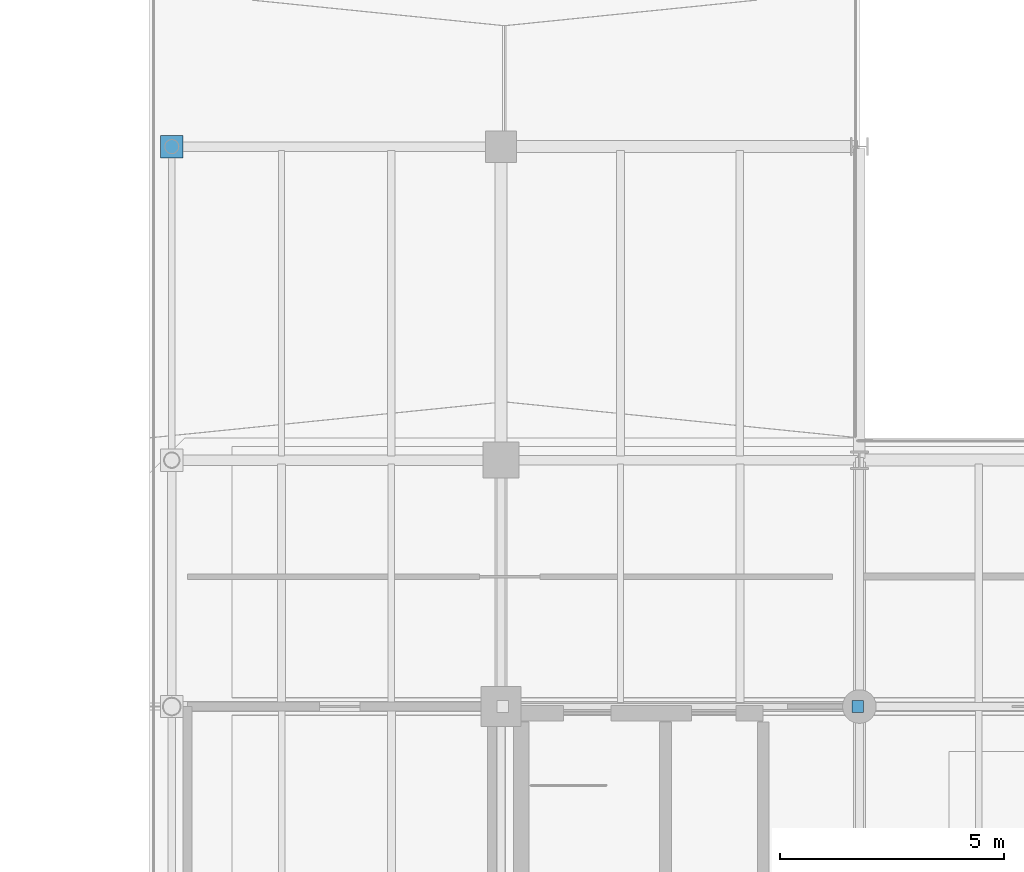
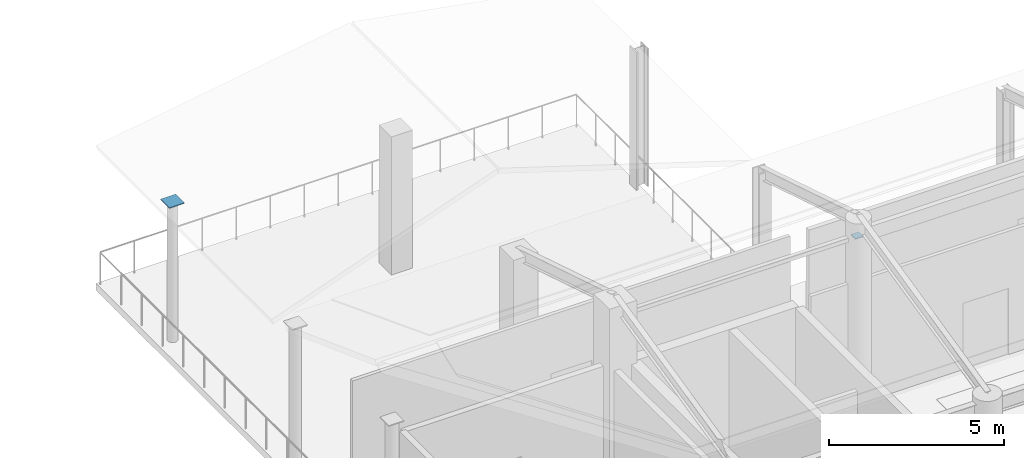
# One storey, part 27 of 30: 2 discrete accessories.
"""IFC4 building model written with IfcOpenShell, lengths in metres."""

from ifc_helpers import new_model, si_unit, direction, frame, origin, origin_2d, place, context, subcontext, project, spatial, rectangle, extrude, material, type_object, element, save


model = new_model("IFC4")

# Units and contexts
model_context = context("Model", 3, precision=1e-05, world=origin(), true_north=direction((0.0, 1.0)))
body_context = subcontext(model_context, "Body", "Model", "MODEL_VIEW")
ifc_project = project(units=[si_unit("LENGTHUNIT", "METRE"), si_unit("AREAUNIT", "SQUARE_METRE"), si_unit("VOLUMEUNIT", "CUBIC_METRE"), si_unit("PLANEANGLEUNIT", "RADIAN"), si_unit("MASSUNIT", "GRAM", prefix="KILO")], contexts=[model_context])

# Site, building, storey
site_placement = place(None, origin())
site = spatial("IfcSite", under=ifc_project, at=site_placement, CompositionType="ELEMENT")
building_placement = place(site_placement, origin())
building = spatial("IfcBuilding", under=site, at=building_placement, Name="Brisemont Oceanarium", CompositionType="ELEMENT")
storey_placement = place(building_placement, frame((0.0, 0.0, 19.800048828125)))
storey = spatial("IfcBuildingStorey", under=building, at=storey_placement, Name="L04", CompositionType="ELEMENT", Elevation=19.800048828125)

# Discrete accessories
ifc_material = material(Name="Structural Steel ASTM A572 Gr.50", Category="steel")
discrete_accessory_type = type_object("IfcDiscreteAccessoryType", Name="ACC-CAP-STL", PredefinedType="ANCHORPLATE", material=ifc_material)
discrete_accessory_1_placement = place(storey_placement, frame((112.64990234375, 100.5, 4.7900390625), z_axis=(0.0, 0.0, 1.0), x_axis=(1.0, 0.0, 0.0)))
element("IfcDiscreteAccessory", 1, at=discrete_accessory_1_placement, inside=storey, type_object=discrete_accessory_type, Name="V6 L04 hollow column welded end cap (0,3)", PredefinedType="ANCHORPLATE", context=body_context, shape_type="SweptSolid", body=[
    extrude(rectangle(XDim=0.5, YDim=0.5, at=origin_2d()), origin(), (0.0, 0.0, 1.0), 0.030029296875),
])
discrete_accessory_2_placement = place(storey_placement, frame((127.9599609375, 88.0, 5.81494140625), z_axis=(0.0, 0.0, 1.0), x_axis=(1.0, 0.0, 0.0)))
element("IfcDiscreteAccessory", 2, at=discrete_accessory_2_placement, inside=storey, type_object=discrete_accessory_type, Name="V6 purlin 1 welded end cap 2", PredefinedType="ANCHORPLATE", context=body_context, shape_type="SweptSolid", body=[
    extrude(rectangle(XDim=0.260009765625, YDim=0.260009765625, at=origin_2d()), origin(), (0.0, 0.0, 1.0), 0.030029296875),
])

save(model, "model.ifc")
